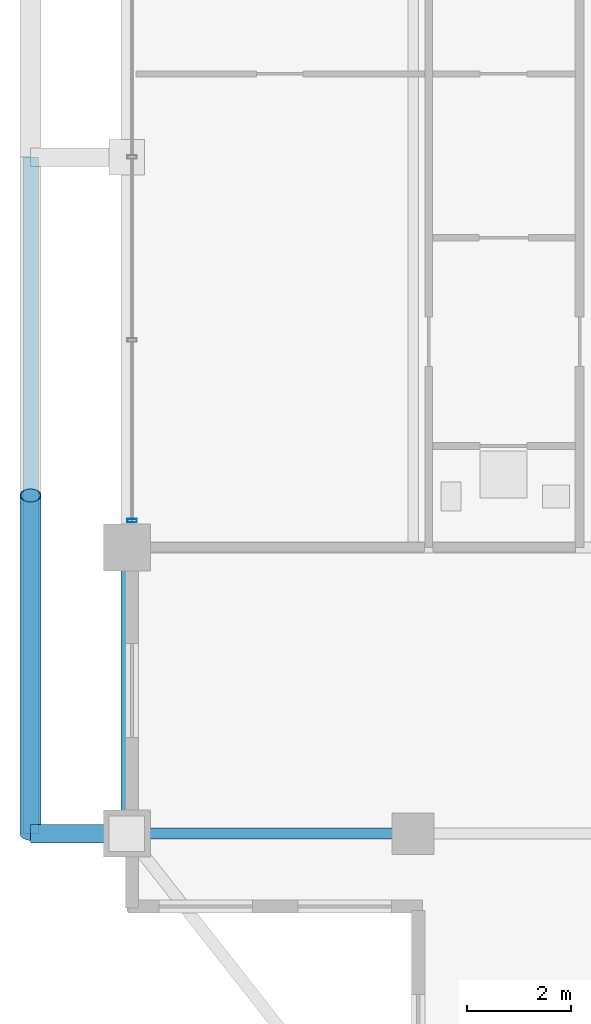
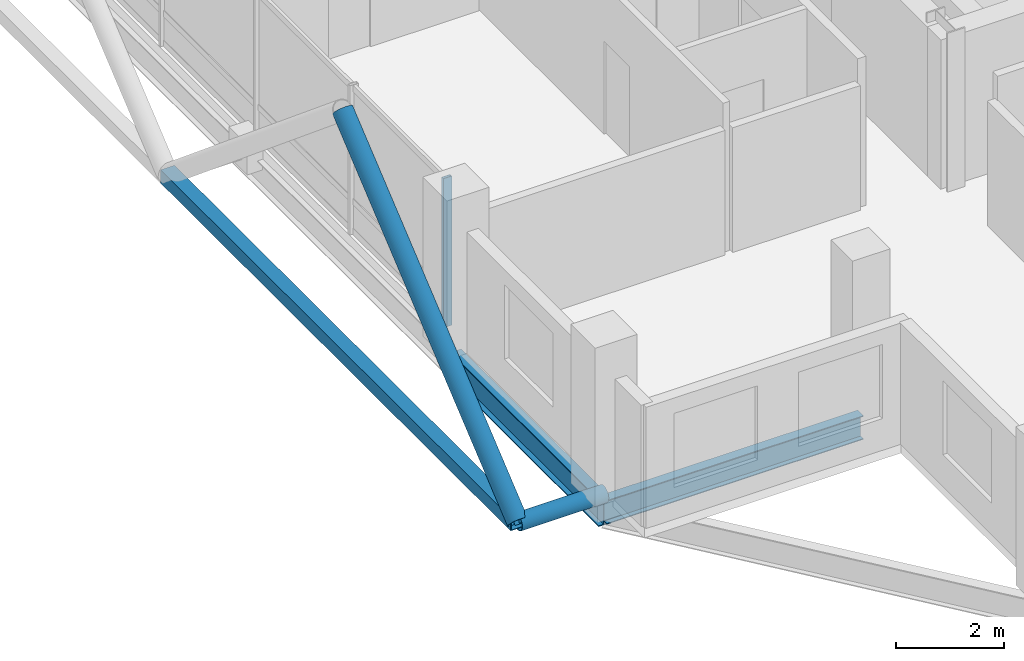
# One storey, part 3 of 25: 4 members, 2 beams, 1 element without a shape of its own.
"""IFC4 building model written with IfcOpenShell, lengths in metres."""

import ifcopenshell
import ifcopenshell.guid

model = None  # the IFC model being written
_history = None  # IfcOwnerHistory: only IFC2X3 demands one
_inside = {}  # id of a spatial element -> (the spatial element, [elements in it])
_under = {}  # id of a project, library or spatial element -> (it, [spatial elements below it])
_declared = {}  # id of a project -> (the project, [libraries it declares])
_typed = {}  # id of a type object -> (the type object, [elements of that type])
_made_of = {}  # id of a material, layer set ... -> (it, [elements and type objects made of it])


def new_model(schema):
    """Start an empty IFC model of exactly this schema.

    Asked for "IFC4X3", IfcOpenShell would pick the latest addendum, in which some entities
    have other attributes; the version numbers below select the first issue.
    IFC2X3 requires an IfcOwnerHistory on every rooted entity: one is made here for all.
    """
    global model, _history
    if schema == "IFC4X3":
        model = ifcopenshell.file(schema_version=(4, 3, 0, 0))
    else:
        model = ifcopenshell.file(schema=schema)
    _inside.clear()
    _under.clear()
    _declared.clear()
    _typed.clear()
    _made_of.clear()
    _history = None
    if model.schema == "IFC2X3":
        org = make("IfcOrganization", Name="unknown")
        user = make(
            "IfcPersonAndOrganization",
            ThePerson=make("IfcPerson", FamilyName="unknown"),
            TheOrganization=org,
        )
        app = make(
            "IfcApplication",
            ApplicationDeveloper=org,
            Version="unknown",
            ApplicationFullName="unknown",
            ApplicationIdentifier="unknown",
        )
        _history = make(
            "IfcOwnerHistory",
            OwningUser=user,
            OwningApplication=app,
            ChangeAction="ADDED",
            CreationDate=0,
        )
    return model


def make(cls, **values):
    """One entity of the class cls with the attributes given. An attribute that is None is left unset."""
    return model.create_entity(
        cls, **{name: value for name, value in values.items() if value is not None}
    )


def rooted(cls, **values):
    """An entity with a GlobalId (a new one), such as an element, a storey or a relation."""
    return make(cls, GlobalId=ifcopenshell.guid.new(), OwnerHistory=_history, **values)


def si_unit(unit_type, name, prefix=None):
    """IfcSIUnit, for example si_unit("LENGTHUNIT", "METRE", prefix="MILLI")."""
    return make("IfcSIUnit", UnitType=unit_type, Prefix=prefix, Name=name)


def assignment(units):
    """IfcUnitAssignment: the units of a project."""
    return None if units is None else make("IfcUnitAssignment", Units=units)


def point(xyz):
    """IfcCartesianPoint."""
    return None if xyz is None else make("IfcCartesianPoint", Coordinates=xyz)


def direction(xyz):
    """IfcDirection."""
    return None if xyz is None else make("IfcDirection", DirectionRatios=xyz)


def frame(location, z_axis=None, x_axis=None):
    """IfcAxis2Placement3D, a coordinate frame: its origin and axes. An axis left out is left unset."""
    return make(
        "IfcAxis2Placement3D",
        Location=point(location),
        Axis=direction(z_axis),
        RefDirection=direction(x_axis),
    )


def frame_2d(location, x_axis=None):
    """IfcAxis2Placement2D, a coordinate frame in the plane: its origin and x axis."""
    return make(
        "IfcAxis2Placement2D", Location=point(location), RefDirection=direction(x_axis)
    )


def origin():
    """The frame at (0, 0, 0) with its axes left unset."""
    return frame((0.0, 0.0, 0.0))


def origin_2d():
    """The frame at (0, 0) in the plane with its x axis left unset."""
    return frame_2d((0.0, 0.0))


def place(relative_to, where):
    """IfcLocalPlacement: puts the frame where relative to a parent placement (None: the world)."""
    return make(
        "IfcLocalPlacement", PlacementRelTo=relative_to, RelativePlacement=where
    )


def context(
    kind, dimensions, precision=None, world=None, true_north=None, identifier=None
):
    """IfcGeometricRepresentationContext, for example the 3D "Model" context."""
    return make(
        "IfcGeometricRepresentationContext",
        ContextIdentifier=identifier,
        ContextType=kind,
        CoordinateSpaceDimension=dimensions,
        Precision=precision,
        WorldCoordinateSystem=world,
        TrueNorth=true_north,
    )


def subcontext(parent, identifier, kind, view, scale=None):
    """IfcGeometricRepresentationSubContext, for example "Body" below "Model"."""
    return make(
        "IfcGeometricRepresentationSubContext",
        ContextIdentifier=identifier,
        ContextType=kind,
        ParentContext=parent,
        TargetScale=scale,
        TargetView=view,
    )


def project(units=None, contexts=None):
    """IfcProject with its units and contexts."""
    return rooted(
        "IfcProject",
        Name="project",
        RepresentationContexts=contexts,
        UnitsInContext=assignment(units),
    )


def spatial(cls, under=None, at=None, **own):
    """A site, building, storey or space (cls), placed at a placement, below another one or the project."""
    s = rooted(cls, ObjectPlacement=at, **own)
    if under is not None:
        _under.setdefault(under.id(), (under, []))[1].append(s)
    return s


def profile(cls, at=None, kind="AREA", **sizes):
    """A parametric profile (cls). Its sizes go by their IFC names, for example OverallWidth=200.0."""
    return make(cls, ProfileType=kind, Position=at, **sizes)


def hollow_rectangle(**sizes):
    """IfcRectangleHollowProfileDef."""
    return profile("IfcRectangleHollowProfileDef", **sizes)


def hollow_circle(**sizes):
    """IfcCircleHollowProfileDef."""
    return profile("IfcCircleHollowProfileDef", **sizes)


def i_section(**sizes):
    """IfcIShapeProfileDef."""
    return profile("IfcIShapeProfileDef", **sizes)


def extrude(swept, where, along, depth):
    """IfcExtrudedAreaSolid: the profile swept, set in the frame where, extruded along a direction by depth."""
    return make(
        "IfcExtrudedAreaSolid",
        SweptArea=swept,
        Position=where,
        ExtrudedDirection=direction(along),
        Depth=depth,
    )


def shape(context_of_items, identifier, shape_type, items):
    """IfcShapeRepresentation: the items that make up one representation, for example the "Body"."""
    return make(
        "IfcShapeRepresentation",
        ContextOfItems=context_of_items,
        RepresentationIdentifier=identifier,
        RepresentationType=shape_type,
        Items=items,
    )


def material(Name=None, Category=None):
    """IfcMaterial."""
    return make("IfcMaterial", Name=Name, Category=Category)


def layer(
    of_material, thickness, ventilated=None, Name=None, Category=None, Priority=None
):
    """IfcMaterialLayer: one layer of a wall or slab, of a material (None: an air gap)."""
    return make(
        "IfcMaterialLayer",
        Material=of_material,
        LayerThickness=thickness,
        IsVentilated=ventilated,
        Name=Name,
        Category=Category,
        Priority=Priority,
    )


def layer_set(layers, Name=None):
    """IfcMaterialLayerSet."""
    return make("IfcMaterialLayerSet", MaterialLayers=layers, LayerSetName=Name)


def material_profile(
    of_material, cross_section, Name=None, Category=None, Priority=None
):
    """IfcMaterialProfile: a cross section and its material."""
    return make(
        "IfcMaterialProfile",
        Name=Name,
        Material=of_material,
        Profile=cross_section,
        Priority=Priority,
        Category=Category,
    )


def profile_set(profiles, Name=None, composite=None):
    """IfcMaterialProfileSet."""
    return make(
        "IfcMaterialProfileSet",
        Name=Name,
        MaterialProfiles=profiles,
        CompositeProfile=composite,
    )


def made_of(thing, what):
    """Note that an element or type object is made of a material, layer set ...; save() writes the relation."""
    if what is not None:
        _made_of.setdefault(what.id(), (what, []))[1].append(thing)
    return thing


def type_object(cls, material=None, **own):
    """A type object (cls), such as IfcWallType, which elements share."""
    return made_of(rooted(cls, **own), material)


def element(
    cls,
    number,
    at=None,
    inside=None,
    cuts=None,
    type_object=None,
    material=None,
    context=None,
    identifier="Body",
    shape_type=None,
    held_by="IfcProductDefinitionShape",
    body=None,
    shapes=None,
    **own,
):
    """One element of the class cls, such as IfcWall. Its Tag is "e" and its number.

    at: its placement. inside: the storey or other place that contains it. cuts: it is an
    opening in that element (IfcRelVoidsElement). A single representation is given by context,
    identifier, shape_type and body (its items); several are given by shapes. held_by: the class
    of the entity that holds the representations. save() writes the other relations.
    """
    e = rooted(cls, Tag="e%d" % number, ObjectPlacement=at, **own)
    if body is not None:
        shapes = [shape(context, identifier, shape_type, body)]
    if shapes is not None:
        e.Representation = make(held_by, Representations=shapes)
    if inside is not None:
        _inside.setdefault(inside.id(), (inside, []))[1].append(e)
    if cuts is not None:
        rooted(
            "IfcRelVoidsElement", RelatingBuildingElement=cuts, RelatedOpeningElement=e
        )
    if type_object is not None:
        _typed.setdefault(type_object.id(), (type_object, []))[1].append(e)
    return made_of(e, material)


def aggregate(whole, parts):
    """IfcRelAggregates: a whole, such as a stair, and the parts it consists of."""
    return rooted("IfcRelAggregates", RelatingObject=whole, RelatedObjects=parts)


def save(model, path):
    """Write the relations noted so far, then the file.

    IfcRelAggregates (storeys below a building ...), IfcRelContainedInSpatialStructure (elements
    in a storey), IfcRelDefinesByType, IfcRelAssociatesMaterial and IfcRelDeclares: one each for
    every whole, place, type object, material and project.
    """
    for whole, parts in _under.values():
        aggregate(whole, parts)
    for where, things in _inside.values():
        rooted(
            "IfcRelContainedInSpatialStructure",
            RelatedElements=things,
            RelatingStructure=where,
        )
    for kind, things in _typed.values():
        rooted("IfcRelDefinesByType", RelatedObjects=things, RelatingType=kind)
    for what, things in _made_of.values():
        rooted("IfcRelAssociatesMaterial", RelatedObjects=things, RelatingMaterial=what)
    for by, libraries in _declared.values():
        rooted("IfcRelDeclares", RelatingContext=by, RelatedDefinitions=libraries)
    model.write(path)


model = new_model("IFC4")

# Units and contexts
model_context = context("Model", 3, precision=1e-05, world=origin(), true_north=direction((0.0, 1.0)))
body_context = subcontext(model_context, "Body", "Model", "MODEL_VIEW")
ifc_project = project(units=[si_unit("LENGTHUNIT", "METRE"), si_unit("AREAUNIT", "SQUARE_METRE"), si_unit("VOLUMEUNIT", "CUBIC_METRE"), si_unit("PLANEANGLEUNIT", "RADIAN"), si_unit("MASSUNIT", "GRAM", prefix="KILO")], contexts=[model_context])

# Site, building, storey
site_placement = place(None, origin())
site = spatial("IfcSite", under=ifc_project, at=site_placement, CompositionType="ELEMENT")
building_placement = place(site_placement, origin())
building = spatial("IfcBuilding", under=site, at=building_placement, Name="Barlavira Tower and Art Museum", CompositionType="ELEMENT")
storey_placement = place(building_placement, frame((0.0, 0.0, 229.5)))
storey = spatial("IfcBuildingStorey", under=building, at=storey_placement, Name="L59", CompositionType="ELEMENT", Elevation=229.5)

# Curtain wall, member
ifc_material_1 = material(Name="Low-iron coastal laminated glass", Category="glass")
ifc_layer = layer(ifc_material_1, 0.2099609375, Name="Low-iron coastal laminated glass")
ifc_layer_set = layer_set([ifc_layer], Name="Low-iron coastal laminated glass")
curtain_wall_type = type_object("IfcCurtainWallType", Name="Pale-Metal Unitised Curtain Wall Zone 4", PredefinedType="NOTDEFINED", material=ifc_layer_set)
curtain_wall_placement = place(storey_placement, origin())
curtain_wall = element("IfcCurtainWall", 1, at=curtain_wall_placement, inside=storey, type_object=curtain_wall_type, Name="L59 Curtain Wall CW4-L59-W-B3", PredefinedType="NOTDEFINED")
ifc_material_2 = material(Name="Pale anodised aluminium", Category="aluminium")
ifc_material_profile_1 = material_profile(ifc_material_2, hollow_rectangle(XDim=0.06494140625, YDim=0.179931640625, WallThickness=0.00390625, at=origin_2d()), Name="ALU-MULL 65x180x4")
ifc_profile_set_1 = profile_set([ifc_material_profile_1], Name="Pale anodised aluminium")
member_type_1 = type_object("IfcMemberType", Name="Curtain Wall Pale-Metal Mullion 65x180", PredefinedType="MULLION", material=ifc_profile_set_1)
member_1_placement = place(storey_placement, frame((-16.89990234375, -6.985107421875, 0.0), z_axis=(0.0, 0.0, 1.0), x_axis=(0.0, -1.0, 0.0)))
member_1 = element("IfcMember", 2, at=member_1_placement, type_object=member_type_1, Name="CW4-L59-W-B3 Mullion 4", PredefinedType="MULLION", context=body_context, shape_type="SweptSolid", body=[
    extrude(hollow_rectangle(XDim=0.06494140625, YDim=0.179931640625, WallThickness=0.00390625, at=origin_2d()), origin(), (0.0, 0.0, 1.0), 3.3798828125),
])
aggregate(curtain_wall, [member_1])

# Members
ifc_material_3 = material(Name="Steel S355", Category="steel")
ifc_material_profile_2 = material_profile(ifc_material_3, hollow_circle(Radius=0.203125, WallThickness=0.01611328125, at=origin_2d()), Name="CHS 406.4x16.0")
ifc_profile_set_2 = profile_set([ifc_material_profile_2], Name="Steel S355")
member_type_2 = type_object("IfcMemberType", Name="Pale-Metal Exoskeleton Diagrid Tube CHS 406x16 Steel S355", PredefinedType="BRACE", material=ifc_profile_set_2)
member_2_placement = place(storey_placement, frame((-18.85009765625, -13.0, -0.1201171875), z_axis=(0.0, 0.76918185268, 0.639029950399), x_axis=(-1.0, 0.0, 0.0)))
element("IfcMember", 3, at=member_2_placement, inside=storey, type_object=member_type_2, Name="L59 Exoskeleton Diagrid Tube W", PredefinedType="BRACE", context=body_context, shape_type="SweptSolid", body=[
    extrude(hollow_circle(Radius=0.203125, WallThickness=0.01611328125, at=origin_2d()), origin(), (0.0, 0.0, 1.0), 8.450439453125),
])
ifc_material_profile_3 = material_profile(ifc_material_3, hollow_circle(Radius=0.177734375, WallThickness=0.01611328125, at=origin_2d()), Name="CHS 355.6x16.0")
ifc_profile_set_3 = profile_set([ifc_material_profile_3], Name="Steel S355")
member_type_3 = type_object("IfcMemberType", Name="Pale-Metal Exoskeleton Tie Strut CHS 356x16 Steel S355", PredefinedType="STRUT", material=ifc_profile_set_3)
member_3_placement = place(storey_placement, frame((-18.85009765625, -13.0, -0.1201171875), z_axis=(1.0, 0.0, 0.0), x_axis=(0.0, 1.0, 0.0)))
element("IfcMember", 4, at=member_3_placement, inside=storey, type_object=member_type_3, Name="L59 Exoskeleton Tie Strut W1", PredefinedType="STRUT", context=body_context, shape_type="SweptSolid", body=[
    extrude(hollow_circle(Radius=0.177734375, WallThickness=0.01611328125, at=origin_2d()), origin(), (0.0, 0.0, 1.0), 1.85009765625),
])
ifc_material_profile_4 = material_profile(ifc_material_3, hollow_rectangle(XDim=0.300048828125, YDim=0.300048828125, WallThickness=0.01611328125, at=origin_2d()), Name="SHS 300x300x16.0")
ifc_profile_set_4 = profile_set([ifc_material_profile_4], Name="Steel S355")
member_type_4 = type_object("IfcMemberType", Name="Pale-Metal Upper Ring Strut SHS 300x300x16 Steel S355", PredefinedType="STRUT", material=ifc_profile_set_4)
member_4_placement = place(storey_placement, frame((-18.85009765625, -13.0, -0.1201171875), z_axis=(0.0, 1.0, 0.0), x_axis=(-1.0, 0.0, 0.0)))
element("IfcMember", 5, at=member_4_placement, inside=storey, type_object=member_type_4, Name="L59 Exoskeleton Ring Strut W", PredefinedType="STRUT", context=body_context, shape_type="SweptSolid", body=[
    extrude(hollow_rectangle(XDim=0.300048828125, YDim=0.300048828125, WallThickness=0.01611328125, at=origin_2d()), origin(), (0.0, 0.0, 1.0), 13.0),
])

# Beams
ifc_material_profile_5 = material_profile(ifc_material_3, i_section(OverallWidth=0.22998046875, OverallDepth=0.616943359375, WebThickness=0.01318359375, FlangeThickness=0.022216796875, at=origin_2d()), Name="W610x140.0")
ifc_profile_set_5 = profile_set([ifc_material_profile_5], Name="Steel S355")
beam_type_1 = type_object("IfcBeamType", Name="Upper Shaft Spandrel Edge Beam W610x140 Steel S355", PredefinedType="SPANDREL", material=ifc_profile_set_5)
beam_1_placement = place(storey_placement, frame((-17.0, -13.0, -0.528564453125), z_axis=(0.0, 1.0, 0.0), x_axis=(-1.0, 0.0, 0.0)))
element("IfcBeam", 6, at=beam_1_placement, inside=storey, type_object=beam_type_1, Name="L59 Spandrel 15", PredefinedType="SPANDREL", context=body_context, shape_type="SweptSolid", body=[
    extrude(i_section(OverallWidth=0.22998046875, OverallDepth=0.616943359375, WebThickness=0.01318359375, FlangeThickness=0.022216796875, at=origin_2d()), origin(), (0.0, 0.0, 1.0), 5.5),
])
ifc_material_profile_6 = material_profile(ifc_material_3, i_section(OverallWidth=0.2109375, OverallDepth=0.5390625, WebThickness=0.01171875, FlangeThickness=0.018798828125, at=origin_2d()), Name="W530x109.0")
ifc_profile_set_6 = profile_set([ifc_material_profile_6], Name="Steel S355")
beam_type_2 = type_object("IfcBeamType", Name="Zone 3-4 Primary Floor Girder W530x109 Steel S355", PredefinedType="BEAM", material=ifc_profile_set_6)
beam_2_placement = place(storey_placement, frame((-17.0, -13.0, -0.489501953125), z_axis=(1.0, 0.0, 0.0), x_axis=(0.0, 1.0, 0.0)))
element("IfcBeam", 7, at=beam_2_placement, inside=storey, type_object=beam_type_2, Name="L59 Girder I-S1", PredefinedType="BEAM", context=body_context, shape_type="SweptSolid", body=[
    extrude(i_section(OverallWidth=0.2109375, OverallDepth=0.5390625, WebThickness=0.01171875, FlangeThickness=0.018798828125, at=origin_2d()), origin(), (0.0, 0.0, 1.0), 5.5),
])

save(model, "model.ifc")
